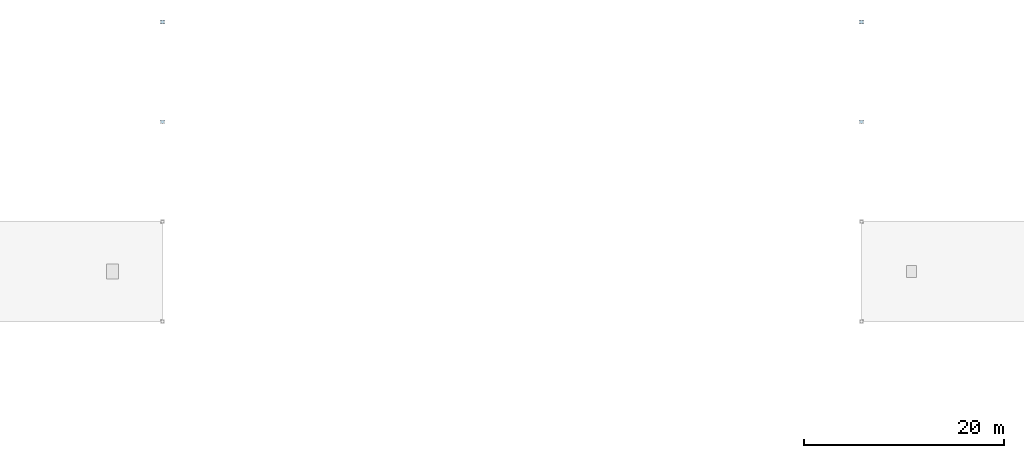
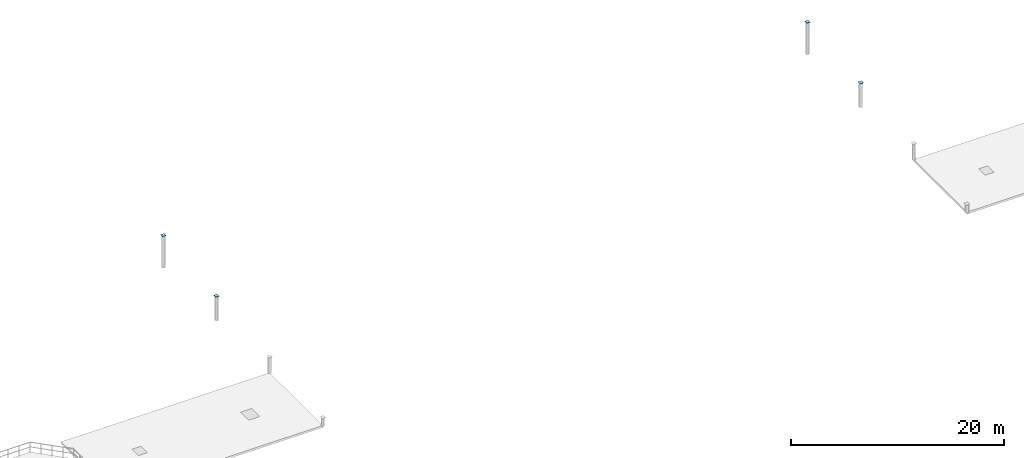
# One storey, part 18 of 23: 4 plates.
"""IFC4 building model written with IfcOpenShell, lengths in metres."""

from ifc_helpers import new_model, si_unit, direction, frame, origin, origin_2d, place, context, subcontext, project, spatial, rectangle, extrude, material, layer, layer_set, type_object, element, save


model = new_model("IFC4")

# Units and contexts
model_context = context("Model", 3, precision=1e-05, world=origin(), true_north=direction((0.0, 1.0)))
body_context = subcontext(model_context, "Body", "Model", "MODEL_VIEW")
ifc_project = project(units=[si_unit("LENGTHUNIT", "METRE"), si_unit("AREAUNIT", "SQUARE_METRE"), si_unit("VOLUMEUNIT", "CUBIC_METRE"), si_unit("PLANEANGLEUNIT", "RADIAN"), si_unit("MASSUNIT", "GRAM", prefix="KILO"), si_unit("THERMODYNAMICTEMPERATUREUNIT", "KELVIN"), si_unit("POWERUNIT", "WATT")], contexts=[model_context])

# Site, building, storey
site_placement = place(None, origin())
site = spatial("IfcSite", under=ifc_project, at=site_placement, CompositionType="ELEMENT")
building_placement = place(site_placement, origin())
building = spatial("IfcBuilding", under=site, at=building_placement, Name="Korenveer Ferry Terminal", CompositionType="ELEMENT")
storey_placement = place(building_placement, frame((0.0, 0.0, 14.39990234375)))
storey = spatial("IfcBuildingStorey", under=building, at=storey_placement, Name="L03", CompositionType="ELEMENT", Elevation=14.39990234375)

# Plates
ifc_material = material(Name="Steel S355", Category="steel")
ifc_layer = layer(ifc_material, 0.0419921875)
ifc_layer_set = layer_set([ifc_layer], Name="Steel S355")
plate_type = type_object("IfcPlateType", Name="STR-PLT-CAP42", PredefinedType="USERDEFINED", material=ifc_layer_set)
for number, where, z_axis, x_axis, name in (
    (1, (53.0, 90.0, 2.75439453125), (0.0, 0.0, 1.0), (1.0, 0.0, 0.0), "Hollow section end cap 209"),
    (2, (53.0, 100.0, 3.662353515625), (0.0, 0.0, 1.0), (1.0, 0.0, 0.0), "Hollow section end cap 210"),
    (3, (123.0, 90.0, 2.75439453125), (0.0, 0.0, 1.0), (1.0, 0.0, 0.0), "Hollow section end cap 238"),
    (4, (123.0, 100.0, 3.662353515625), (0.0, 0.0, 1.0), (1.0, 0.0, 0.0), "Hollow section end cap 239"),
):
    element("IfcPlate", number, at=place(storey_placement, frame(where, z_axis=z_axis, x_axis=x_axis)), inside=storey, type_object=plate_type, Name=name, ObjectType="END CAP PLATE", PredefinedType="USERDEFINED", context=body_context, shape_type="SweptSolid", body=[
        extrude(rectangle(XDim=0.385498046875, YDim=0.385498046875, at=origin_2d()), origin(), (0.0, 0.0, 1.0), 0.0419921875),
    ])

save(model, "model.ifc")
